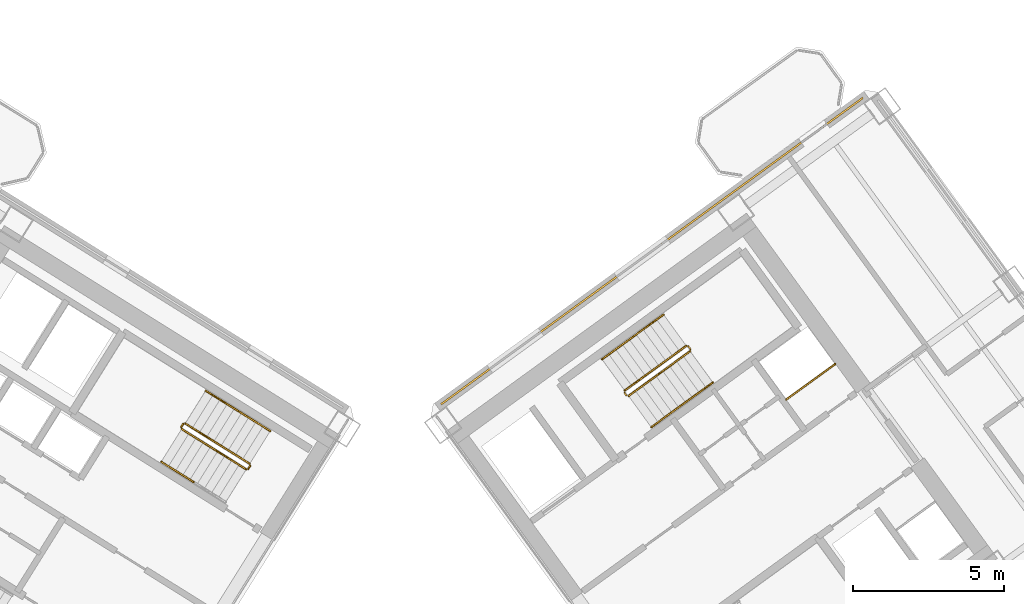
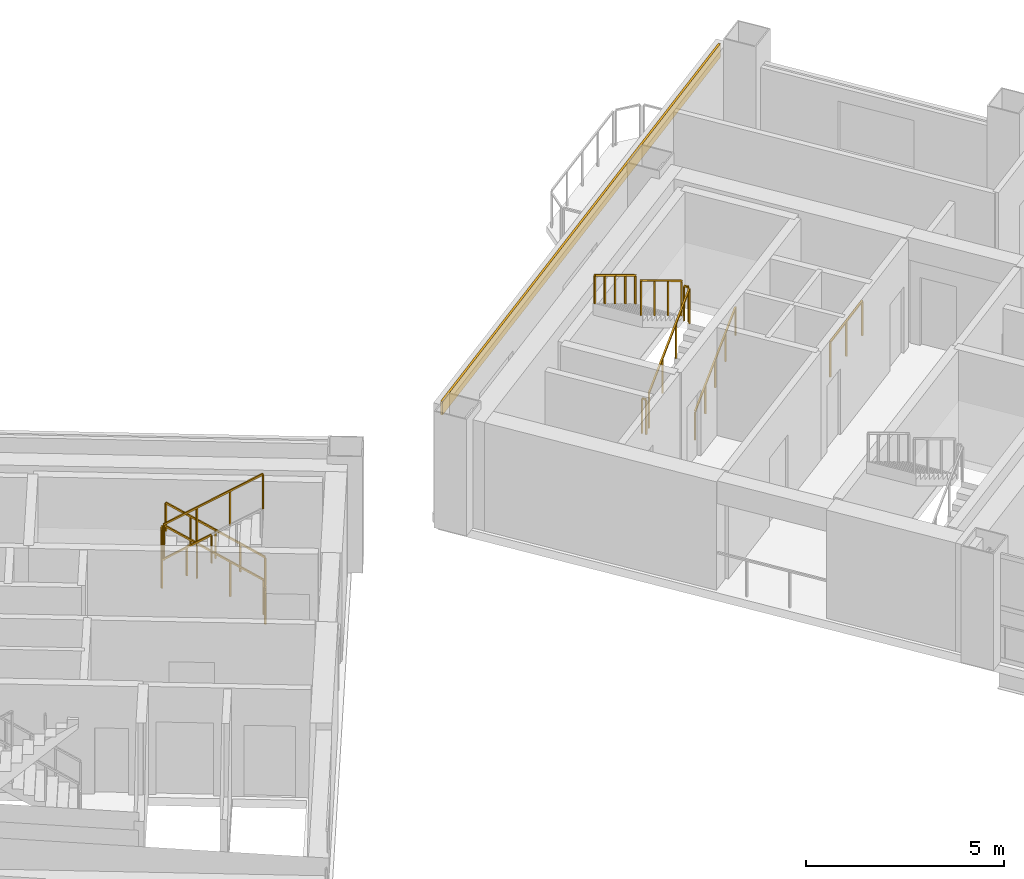
# One storey, part 18 of 19: 16 railings, 1 covering.
"""IFC4 building model written with IfcOpenShell, lengths in metres."""

from ifc_helpers import new_model, si_unit, direction, frame, origin, origin_2d, place, context, subcontext, project, spatial, rectangle, extrude, source, transform, mapped, material, layer, layer_set, type_object, element, save


model = new_model("IFC4")

# Units and contexts
model_context = context("Model", 3, precision=1e-05, world=origin(), true_north=direction((0.0, 1.0)))
body_context = subcontext(model_context, "Body", "Model", "MODEL_VIEW")
ifc_project = project(units=[si_unit("LENGTHUNIT", "METRE"), si_unit("AREAUNIT", "SQUARE_METRE"), si_unit("VOLUMEUNIT", "CUBIC_METRE"), si_unit("PLANEANGLEUNIT", "RADIAN"), si_unit("MASSUNIT", "GRAM", prefix="KILO")], contexts=[model_context])

# Site, building, storey
site_placement = place(None, origin())
site = spatial("IfcSite", under=ifc_project, at=site_placement, CompositionType="ELEMENT")
building_placement = place(site_placement, origin())
building = spatial("IfcBuilding", under=site, at=building_placement, Name="Tlacorven Tower", CompositionType="ELEMENT")
storey_placement = place(building_placement, frame((0.0, 0.0, 144.300048828125)))
storey = spatial("IfcBuildingStorey", under=building, at=storey_placement, Name="L36", CompositionType="ELEMENT", Elevation=144.300048828125)

# Railing
ifc_material_1 = material(Name="Aluminium and painted steel balustrade", Category="steel")
railing_type_1 = type_object("IfcRailingType", Name="RL-GRD-1100", PredefinedType="GUARDRAIL", material=ifc_material_1)
shared_shape_1 = source(origin(), body_context, "Body", "SweptSolid", [
    extrude(rectangle(XDim=0.048095703125, YDim=0.048095703125, at=origin_2d()), frame((0.0, 0.0, 1.076171875), z_axis=(0.808947177504, 0.587881334972, 0.0), x_axis=(-0.587881334972, 0.808947177504, 0.0)), (0.0, 0.0, 1.0), 2.0),
    extrude(rectangle(XDim=0.0419921875, YDim=0.0419921875, at=origin_2d()), origin(), (0.0, 0.0, 1.0), 1.052001953125),
    extrude(rectangle(XDim=0.0419921875, YDim=0.0419921875, at=origin_2d()), frame((0.80908203125, 0.587890625, 0.0)), (0.0, 0.0, 1.0), 1.052001953125),
    extrude(rectangle(XDim=0.0419921875, YDim=0.0419921875, at=origin_2d()), frame((1.617919921875, 1.17578125, 0.0)), (0.0, 0.0, 1.0), 1.052001953125),
])
railing_1_placement = place(storey_placement, frame((55.506103515625, 25.438232421875, 0.0)))
element("IfcRailing", 1, at=railing_1_placement, inside=storey, type_object=railing_type_1, Name="L36 Electrical Riser E Shaft Guard 1", PredefinedType="GUARDRAIL", context=body_context, shape_type="MappedRepresentation", body=[
    mapped(shared_shape_1, transform((0.0, 0.0, 0.0), scale=1.0)),
])

# Covering
ifc_material_2 = material(Name="Precast concrete C45/55", Category="concrete")
ifc_layer = layer(ifc_material_2, 0.06005859375)
ifc_layer_set = layer_set([ifc_layer], Name="Precast concrete C45/55")
covering_type = type_object("IfcCoveringType", Name="CV-CLD-TERC", PredefinedType="CLADDING", material=ifc_layer_set)
shared_shape_2 = source(origin(), body_context, "Body", "SweptSolid", [
    extrude(rectangle(XDim=17.287353515625, YDim=0.06005859375, at=origin_2d()), origin(), (0.0, 0.0, 1.0), 0.419921875),
])
covering_placement = place(storey_placement, frame((51.05224609375, 30.360595703125, 2.929931640625), z_axis=(0.0, 0.0, 1.0), x_axis=(0.809017097486, 0.587785110372, 0.0)))
element("IfcCovering", 2, at=covering_placement, inside=storey, type_object=covering_type, Name="L36 Masonry-Frame Spandrel Cladding 4", PredefinedType="CLADDING", context=body_context, shape_type="MappedRepresentation", body=[
    mapped(shared_shape_2, transform((0.0, 0.0, 0.0), scale=1.0)),
])

# Railings
shared_shape_3 = source(origin(), body_context, "Body", "SweptSolid", [
    extrude(rectangle(XDim=0.048095703125, YDim=0.048095703125, at=origin_2d()), frame((0.0, 0.0, 1.076171875), z_axis=(-0.713319727316, 0.445773895627, 0.540796265334), x_axis=(-0.529955395941, -0.84802551749, 0.0)), (0.0, 0.0, 1.0), 2.995849609375),
    extrude(rectangle(XDim=0.0419921875, YDim=0.0419921875, at=origin_2d()), origin(), (0.0, 0.0, 1.0), 1.052001953125),
    extrude(rectangle(XDim=0.0419921875, YDim=0.0419921875, at=origin_2d()), frame((-0.71240234375, 0.445068359375, 0.5400390625)), (0.0, 0.0, 1.0), 1.052001953125),
    extrude(rectangle(XDim=0.0419921875, YDim=0.0419921875, at=origin_2d()), frame((-1.424560546875, 0.890380859375, 1.080078125)), (0.0, 0.0, 1.0), 1.052001953125),
    extrude(rectangle(XDim=0.0419921875, YDim=0.0419921875, at=origin_2d()), frame((-2.136962890625, 1.33544921875, 1.6201171875)), (0.0, 0.0, 1.0), 1.052001953125),
])
railing_2_placement = place(storey_placement, frame((37.712158203125, 23.3095703125, 0.179931640625)))
element("IfcRailing", 3, at=railing_2_placement, inside=storey, type_object=railing_type_1, Name="L36 ST-W2 stair guard 1", PredefinedType="GUARDRAIL", context=body_context, shape_type="MappedRepresentation", body=[
    mapped(shared_shape_3, transform((0.0, 0.0, 0.0), scale=1.0)),
])
shared_shape_4 = source(origin(), body_context, "Body", "SweptSolid", [
    extrude(rectangle(XDim=0.048095703125, YDim=0.048095703125, at=origin_2d()), frame((0.0, 0.0, 1.076171875), z_axis=(-0.530546985787, -0.847655529016, 0.0), x_axis=(0.847655529016, -0.530546985787, 0.0)), (0.0, 0.0, 1.0), 0.1201171875),
    extrude(rectangle(XDim=0.0419921875, YDim=0.0419921875, at=origin_2d()), origin(), (0.0, 0.0, 1.0), 1.052001953125),
    extrude(rectangle(XDim=0.0419921875, YDim=0.0419921875, at=origin_2d()), frame((-0.063720703125, -0.101806640625, 0.0)), (0.0, 0.0, 1.0), 1.052001953125),
])
railing_3_placement = place(storey_placement, frame((37.728271484375, 23.24072265625, 0.0)))
element("IfcRailing", 4, at=railing_3_placement, inside=storey, type_object=railing_type_1, Name="L36 ST-W2 stair guard 4", PredefinedType="GUARDRAIL", context=body_context, shape_type="MappedRepresentation", body=[
    mapped(shared_shape_4, transform((0.0, 0.0, 0.0), scale=1.0)),
])
railing_type_2 = type_object("IfcRailingType", Name="RL-HND-0900", PredefinedType="HANDRAIL", material=ifc_material_1)
shared_shape_5 = source(origin(), body_context, "Body", "SweptSolid", [
    extrude(rectangle(XDim=0.048095703125, YDim=0.048095703125, at=origin_2d()), frame((0.0, 0.0, 0.8759765625), z_axis=(-0.713359751793, 0.4457479829, 0.540764828981), x_axis=(-0.529911857636, -0.848052724267, 0.0)), (0.0, 0.0, 1.0), 1.498046875),
    extrude(rectangle(XDim=0.0419921875, YDim=0.0419921875, at=origin_2d()), origin(), (0.0, 0.0, 1.0), 0.851806640625),
    extrude(rectangle(XDim=0.0419921875, YDim=0.0419921875, at=origin_2d()), frame((-0.5341796875, 0.333984375, 0.405029296875)), (0.0, 0.0, 1.0), 0.851806640625),
    extrude(rectangle(XDim=0.0419921875, YDim=0.0419921875, at=origin_2d()), frame((-1.068603515625, 0.667724609375, 0.81005859375)), (0.0, 0.0, 1.0), 0.851806640625),
])
for number, where, name in (
    (5, (38.390625, 24.39501953125, 0.179931640625), "L36 ST-W2 stair handrail 1"),
    (6, (37.322021484375, 25.062744140625, 0.989990234375), "L36 ST-W2 stair handrail 2"),
):
    element("IfcRailing", number, at=place(storey_placement, frame(where)), inside=storey, type_object=railing_type_2, Name=name, PredefinedType="HANDRAIL", context=body_context, shape_type="MappedRepresentation", body=[
        mapped(shared_shape_5, transform((0.0, 0.0, 0.0), scale=1.0)),
    ])
shared_shape_6 = source(origin(), body_context, "Body", "SweptSolid", [
    extrude(rectangle(XDim=0.048095703125, YDim=0.048095703125, at=origin_2d()), frame((0.0, 0.0, 0.8759765625), z_axis=(0.713359751793, -0.4457479829, 0.540764828981), x_axis=(0.529911857636, 0.848052724267, 0.0)), (0.0, 0.0, 1.0), 1.498046875),
    extrude(rectangle(XDim=0.0419921875, YDim=0.0419921875, at=origin_2d()), origin(), (0.0, 0.0, 1.0), 0.851806640625),
    extrude(rectangle(XDim=0.0419921875, YDim=0.0419921875, at=origin_2d()), frame((0.5341796875, -0.333984375, 0.405029296875)), (0.0, 0.0, 1.0), 0.851806640625),
    extrude(rectangle(XDim=0.0419921875, YDim=0.0419921875, at=origin_2d()), frame((1.068603515625, -0.667724609375, 0.81005859375)), (0.0, 0.0, 1.0), 0.851806640625),
])
railing_4_placement = place(storey_placement, frame((34.7802734375, 23.372802734375, 1.97998046875)))
element("IfcRailing", 7, at=railing_4_placement, inside=storey, type_object=railing_type_2, Name="L36 ST-W2 stair handrail 3", PredefinedType="HANDRAIL", context=body_context, shape_type="MappedRepresentation", body=[
    mapped(shared_shape_6, transform((0.0, 0.0, 0.0), scale=1.0)),
])
shared_shape_7 = source(origin(), body_context, "Body", "SweptSolid", [
    extrude(rectangle(XDim=0.048095703125, YDim=0.048095703125, at=origin_2d()), frame((0.0, 0.0, 1.076171875), z_axis=(-0.531462422766, -0.847081869236, 0.0), x_axis=(0.847081869236, -0.531462422766, 0.0)), (0.0, 0.0, 1.0), 0.119873046875),
    extrude(rectangle(XDim=0.0419921875, YDim=0.0419921875, at=origin_2d()), origin(), (0.0, 0.0, 1.0), 1.052001953125),
    extrude(rectangle(XDim=0.0419921875, YDim=0.0419921875, at=origin_2d()), frame((-0.063720703125, -0.1015625, 0.0)), (0.0, 0.0, 1.0), 1.052001953125),
])
railing_5_placement = place(storey_placement, frame((35.50634765625, 24.62890625, 1.800048828125)))
element("IfcRailing", 8, at=railing_5_placement, inside=storey, type_object=railing_type_1, Name="L36 ST-W2 stair guard 2", PredefinedType="GUARDRAIL", context=body_context, shape_type="MappedRepresentation", body=[
    mapped(shared_shape_7, transform((0.0, 0.0, 0.0), scale=1.0)),
])
shared_shape_8 = source(origin(), body_context, "Body", "SweptSolid", [
    extrude(rectangle(XDim=0.048095703125, YDim=0.048095703125, at=origin_2d()), frame((0.0, 0.0, 1.076171875), z_axis=(0.713417101326, -0.445702322042, 0.540726806865), x_axis=(0.52984217967, 0.848096259066, 0.0)), (0.0, 0.0, 1.0), 2.995849609375),
    extrude(rectangle(XDim=0.0419921875, YDim=0.0419921875, at=origin_2d()), origin(), (0.0, 0.0, 1.0), 1.052001953125),
    extrude(rectangle(XDim=0.0419921875, YDim=0.0419921875, at=origin_2d()), frame((0.71240234375, -0.445068359375, 0.5400390625)), (0.0, 0.0, 1.0), 1.052001953125),
    extrude(rectangle(XDim=0.0419921875, YDim=0.0419921875, at=origin_2d()), frame((1.4248046875, -0.89013671875, 1.079833984375)), (0.0, 0.0, 1.0), 1.052001953125),
    extrude(rectangle(XDim=0.0419921875, YDim=0.0419921875, at=origin_2d()), frame((2.13720703125, -1.335205078125, 1.619873046875)), (0.0, 0.0, 1.0), 1.052001953125),
])
railing_6_placement = place(storey_placement, frame((35.45849609375, 24.458251953125, 1.97998046875)))
element("IfcRailing", 9, at=railing_6_placement, inside=storey, type_object=railing_type_1, Name="L36 ST-W2 stair guard 3", PredefinedType="GUARDRAIL", context=body_context, shape_type="MappedRepresentation", body=[
    mapped(shared_shape_8, transform((0.0, 0.0, 0.0), scale=1.0)),
])
shared_shape_9 = source(origin(), body_context, "Body", "SweptSolid", [
    extrude(rectangle(XDim=0.048095703125, YDim=0.048095703125, at=origin_2d()), frame((0.0, 0.0, 1.076171875), z_axis=(-0.587201422542, 0.809440849824, 0.0), x_axis=(-0.809440849824, -0.587201422542, 0.0)), (0.0, 0.0, 1.0), 0.11962890625),
    extrude(rectangle(XDim=0.0419921875, YDim=0.0419921875, at=origin_2d()), origin(), (0.0, 0.0, 1.0), 1.052001953125),
    extrude(rectangle(XDim=0.0419921875, YDim=0.0419921875, at=origin_2d()), frame((-0.0703125, 0.096923828125, 0.0)), (0.0, 0.0, 1.0), 1.052001953125),
])
for number, where, name in (
    (10, (52.326904296875, 27.10888671875, 1.800048828125), "L36 ST-E1 stair guard 2"),
    (11, (50.207275390625, 25.56884765625, 0.0), "L36 ST-E1 stair guard 4"),
):
    element("IfcRailing", number, at=place(storey_placement, frame(where)), inside=storey, type_object=railing_type_1, Name=name, PredefinedType="GUARDRAIL", context=body_context, shape_type="MappedRepresentation", body=[
        mapped(shared_shape_9, transform((0.0, 0.0, 0.0), scale=1.0)),
    ])
shared_shape_10 = source(origin(), body_context, "Body", "SweptSolid", [
    extrude(rectangle(XDim=0.048095703125, YDim=0.048095703125, at=origin_2d()), frame((0.0, 0.0, 1.076171875), z_axis=(0.680488636597, 0.494434078831, 0.540805100894), x_axis=(-0.5878087079, 0.808999952359, 0.0)), (0.0, 0.0, 1.0), 2.995849609375),
    extrude(rectangle(XDim=0.0419921875, YDim=0.0419921875, at=origin_2d()), origin(), (0.0, 0.0, 1.0), 1.052001953125),
    extrude(rectangle(XDim=0.0419921875, YDim=0.0419921875, at=origin_2d()), frame((0.679443359375, 0.49365234375, 0.5400390625)), (0.0, 0.0, 1.0), 1.052001953125),
    extrude(rectangle(XDim=0.0419921875, YDim=0.0419921875, at=origin_2d()), frame((1.359130859375, 0.987548828125, 1.080078125)), (0.0, 0.0, 1.0), 1.052001953125),
    extrude(rectangle(XDim=0.0419921875, YDim=0.0419921875, at=origin_2d()), frame((2.03857421875, 1.481201171875, 1.6201171875)), (0.0, 0.0, 1.0), 1.052001953125),
])
railing_7_placement = place(storey_placement, frame((50.27734375, 25.557861328125, 0.179931640625)))
element("IfcRailing", 12, at=railing_7_placement, inside=storey, type_object=railing_type_1, Name="L36 ST-E1 stair guard 1", PredefinedType="GUARDRAIL", context=body_context, shape_type="MappedRepresentation", body=[
    mapped(shared_shape_10, transform((0.0, 0.0, 0.0), scale=1.0)),
])
shared_shape_11 = source(origin(), body_context, "Body", "SweptSolid", [
    extrude(rectangle(XDim=0.048095703125, YDim=0.048095703125, at=origin_2d()), frame((0.0, 0.0, 0.8759765625), z_axis=(0.680516055757, 0.494372502302, 0.540826891737), x_axis=(-0.587745292299, 0.809046025502, 0.0)), (0.0, 0.0, 1.0), 1.497802734375),
    extrude(rectangle(XDim=0.0419921875, YDim=0.0419921875, at=origin_2d()), origin(), (0.0, 0.0, 1.0), 0.851806640625),
    extrude(rectangle(XDim=0.0419921875, YDim=0.0419921875, at=origin_2d()), frame((0.509765625, 0.3701171875, 0.405029296875)), (0.0, 0.0, 1.0), 0.851806640625),
    extrude(rectangle(XDim=0.0419921875, YDim=0.0419921875, at=origin_2d()), frame((1.019287109375, 0.740478515625, 0.81005859375)), (0.0, 0.0, 1.0), 0.851806640625),
])
railing_8_placement = place(storey_placement, frame((51.029541015625, 24.522216796875, 0.179931640625)))
element("IfcRailing", 13, at=railing_8_placement, inside=storey, type_object=railing_type_2, Name="L36 ST-E1 stair handrail 1", PredefinedType="HANDRAIL", context=body_context, shape_type="MappedRepresentation", body=[
    mapped(shared_shape_11, transform((0.0, 0.0, 0.0), scale=1.0)),
])
shared_shape_12 = source(origin(), body_context, "Body", "SweptSolid", [
    extrude(rectangle(XDim=0.048095703125, YDim=0.048095703125, at=origin_2d()), frame((0.0, 0.0, 0.8759765625), z_axis=(0.680548719995, 0.49444080854, 0.540723336433), x_axis=(-0.587779977844, 0.80902082646, 0.0)), (0.0, 0.0, 1.0), 1.498046875),
    extrude(rectangle(XDim=0.0419921875, YDim=0.0419921875, at=origin_2d()), origin(), (0.0, 0.0, 1.0), 0.851806640625),
    extrude(rectangle(XDim=0.0419921875, YDim=0.0419921875, at=origin_2d()), frame((0.509765625, 0.370361328125, 0.405029296875)), (0.0, 0.0, 1.0), 0.851806640625),
    extrude(rectangle(XDim=0.0419921875, YDim=0.0419921875, at=origin_2d()), frame((1.01953125, 0.74072265625, 0.81005859375)), (0.0, 0.0, 1.0), 0.851806640625),
])
railing_9_placement = place(storey_placement, frame((52.048828125, 25.2626953125, 0.989990234375)))
element("IfcRailing", 14, at=railing_9_placement, inside=storey, type_object=railing_type_2, Name="L36 ST-E1 stair handrail 2", PredefinedType="HANDRAIL", context=body_context, shape_type="MappedRepresentation", body=[
    mapped(shared_shape_12, transform((0.0, 0.0, 0.0), scale=1.0)),
])
shared_shape_13 = source(origin(), body_context, "Body", "SweptSolid", [
    extrude(rectangle(XDim=0.048095703125, YDim=0.048095703125, at=origin_2d()), frame((0.0, 0.0, 0.8759765625), z_axis=(-0.680603554404, -0.494317667746, 0.540766904577), x_axis=(0.587653156371, -0.809112951205, 0.0)), (0.0, 0.0, 1.0), 1.498046875),
    extrude(rectangle(XDim=0.0419921875, YDim=0.0419921875, at=origin_2d()), origin(), (0.0, 0.0, 1.0), 0.851806640625),
    extrude(rectangle(XDim=0.0419921875, YDim=0.0419921875, at=origin_2d()), frame((-0.509765625, -0.3701171875, 0.405029296875)), (0.0, 0.0, 1.0), 0.851806640625),
    extrude(rectangle(XDim=0.0419921875, YDim=0.0419921875, at=origin_2d()), frame((-1.01953125, -0.740478515625, 0.81005859375)), (0.0, 0.0, 1.0), 0.851806640625),
])
railing_10_placement = place(storey_placement, frame((51.434326171875, 28.25244140625, 1.97998046875)))
element("IfcRailing", 15, at=railing_10_placement, inside=storey, type_object=railing_type_2, Name="L36 ST-E1 stair handrail 3", PredefinedType="HANDRAIL", context=body_context, shape_type="MappedRepresentation", body=[
    mapped(shared_shape_13, transform((0.0, 0.0, 0.0), scale=1.0)),
])
shared_shape_14 = source(origin(), body_context, "Body", "SweptSolid", [
    extrude(rectangle(XDim=0.048095703125, YDim=0.048095703125, at=origin_2d()), frame((0.0, 0.0, 1.076171875), z_axis=(-0.680518627673, -0.494455869951, 0.540747436481), x_axis=(0.5878087079, -0.808999952359, 0.0)), (0.0, 0.0, 1.0), 2.99560546875),
    extrude(rectangle(XDim=0.0419921875, YDim=0.0419921875, at=origin_2d()), origin(), (0.0, 0.0, 1.0), 1.052001953125),
    extrude(rectangle(XDim=0.0419921875, YDim=0.0419921875, at=origin_2d()), frame((-0.679443359375, -0.49365234375, 0.5400390625)), (0.0, 0.0, 1.0), 1.052001953125),
    extrude(rectangle(XDim=0.0419921875, YDim=0.0419921875, at=origin_2d()), frame((-1.359130859375, -0.987548828125, 1.079833984375)), (0.0, 0.0, 1.0), 1.052001953125),
    extrude(rectangle(XDim=0.0419921875, YDim=0.0419921875, at=origin_2d()), frame((-2.03857421875, -1.481201171875, 1.619873046875)), (0.0, 0.0, 1.0), 1.052001953125),
])
railing_11_placement = place(storey_placement, frame((52.1865234375, 27.217041015625, 1.97998046875)))
element("IfcRailing", 16, at=railing_11_placement, inside=storey, type_object=railing_type_1, Name="L36 ST-E1 stair guard 3", PredefinedType="GUARDRAIL", context=body_context, shape_type="MappedRepresentation", body=[
    mapped(shared_shape_14, transform((0.0, 0.0, 0.0), scale=1.0)),
])
shared_shape_15 = source(origin(), body_context, "Body", "SweptSolid", [
    extrude(rectangle(XDim=0.048095703125, YDim=0.048095703125, at=origin_2d()), frame((0.0, 0.0, 0.8759765625), z_axis=(-0.680521190579, -0.494539231669, 0.540667973449), x_axis=(0.587872112667, -0.808953879494, 0.0)), (0.0, 0.0, 1.0), 1.497802734375),
    extrude(rectangle(XDim=0.0419921875, YDim=0.0419921875, at=origin_2d()), origin(), (0.0, 0.0, 1.0), 0.851806640625),
    extrude(rectangle(XDim=0.0419921875, YDim=0.0419921875, at=origin_2d()), frame((-0.509765625, -0.370361328125, 0.40478515625)), (0.0, 0.0, 1.0), 0.851806640625),
    extrude(rectangle(XDim=0.0419921875, YDim=0.0419921875, at=origin_2d()), frame((-1.019287109375, -0.74072265625, 0.809814453125)), (0.0, 0.0, 1.0), 0.851806640625),
])
railing_12_placement = place(storey_placement, frame((50.414794921875, 27.511962890625, 2.7900390625)))
element("IfcRailing", 17, at=railing_12_placement, inside=storey, type_object=railing_type_2, Name="L36 ST-E1 stair handrail 4", PredefinedType="HANDRAIL", context=body_context, shape_type="MappedRepresentation", body=[
    mapped(shared_shape_15, transform((0.0, 0.0, 0.0), scale=1.0)),
])

save(model, "model.ifc")
